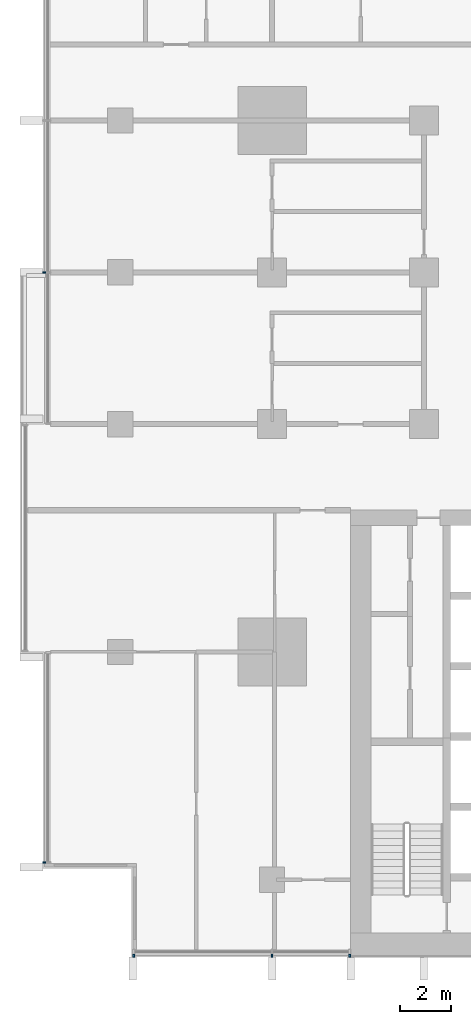
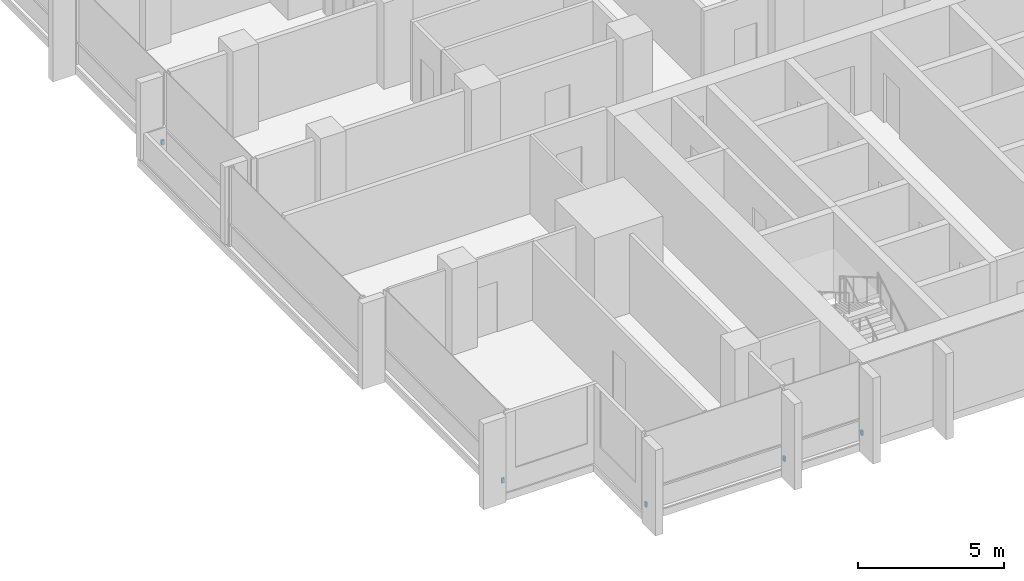
# One storey, part 13 of 17: 5 discrete accessories.
"""IFC4 building model written with IfcOpenShell, lengths in metres."""

from ifc_helpers import new_model, si_unit, direction, frame, origin, origin_2d, place, context, subcontext, project, spatial, rectangle, extrude, material, type_object, element, save


model = new_model("IFC4")

# Units and contexts
model_context = context("Model", 3, precision=1e-05, world=origin(), true_north=direction((0.0, 1.0)))
body_context = subcontext(model_context, "Body", "Model", "MODEL_VIEW")
ifc_project = project(units=[si_unit("LENGTHUNIT", "METRE"), si_unit("AREAUNIT", "SQUARE_METRE"), si_unit("VOLUMEUNIT", "CUBIC_METRE"), si_unit("PLANEANGLEUNIT", "RADIAN"), si_unit("MASSUNIT", "GRAM", prefix="KILO")], contexts=[model_context])

# Site, building, storey
site_placement = place(None, origin())
site = spatial("IfcSite", under=ifc_project, at=site_placement, CompositionType="ELEMENT")
building_placement = place(site_placement, origin())
building = spatial("IfcBuilding", under=site, at=building_placement, Name="Finial Court Residences", CompositionType="ELEMENT")
storey_placement = place(building_placement, frame((0.0, 0.0, 124.300048828125)))
storey = spatial("IfcBuildingStorey", under=building, at=storey_placement, Name="L31", CompositionType="ELEMENT", Elevation=124.300048828125)

# Discrete accessories
ifc_material = material(Name="Stainless steel 316", Category="steel")
discrete_accessory_type = type_object("IfcDiscreteAccessoryType", Name="Fin bracket, stainless steel 65 x 110 x 200", PredefinedType="BRACKET", material=ifc_material)
for number, where, z_axis, x_axis, name in (
    (1, (-21.967529296875, -25.5048828125, 0.2998046875), (0.0, 0.0, 1.0), (1.0, 0.0, 0.0), "E-L31-FIN-S16-BRK"),
    (2, (-16.5, -25.5048828125, 0.2998046875), (0.0, 0.0, 1.0), (1.0, 0.0, 0.0), "E-L31-FIN-S17-BRK"),
    (3, (-13.4326171875, -25.5048828125, 0.2998046875), (0.0, 0.0, 1.0), (1.0, 0.0, 0.0), "E-L31-FIN-S18-BRK"),
):
    element("IfcDiscreteAccessory", number, at=place(storey_placement, frame(where, z_axis=z_axis, x_axis=x_axis)), inside=storey, type_object=discrete_accessory_type, Name=name, PredefinedType="BRACKET", context=body_context, shape_type="SweptSolid", body=[
        extrude(rectangle(XDim=0.06494140625, YDim=0.110107421875, at=origin_2d()), origin(), (0.0, 0.0, 1.0), 0.199951171875),
    ])
for number, where, z_axis, x_axis, name in (
    (4, (-25.5048828125, -21.8173828125, 0.2998046875), (0.0, 0.0, 1.0), (1.0, 0.0, 0.0), "E-L31-FIN-W26-BRK"),
    (5, (-25.5048828125, 1.5, 0.2998046875), (0.0, 0.0, 1.0), (1.0, 0.0, 0.0), "E-L31-FIN-W29-BRK"),
):
    element("IfcDiscreteAccessory", number, at=place(storey_placement, frame(where, z_axis=z_axis, x_axis=x_axis)), inside=storey, type_object=discrete_accessory_type, Name=name, PredefinedType="BRACKET", context=body_context, shape_type="SweptSolid", body=[
        extrude(rectangle(XDim=0.110107421875, YDim=0.06494140625, at=origin_2d()), origin(), (0.0, 0.0, 1.0), 0.199951171875),
    ])

save(model, "model.ifc")
